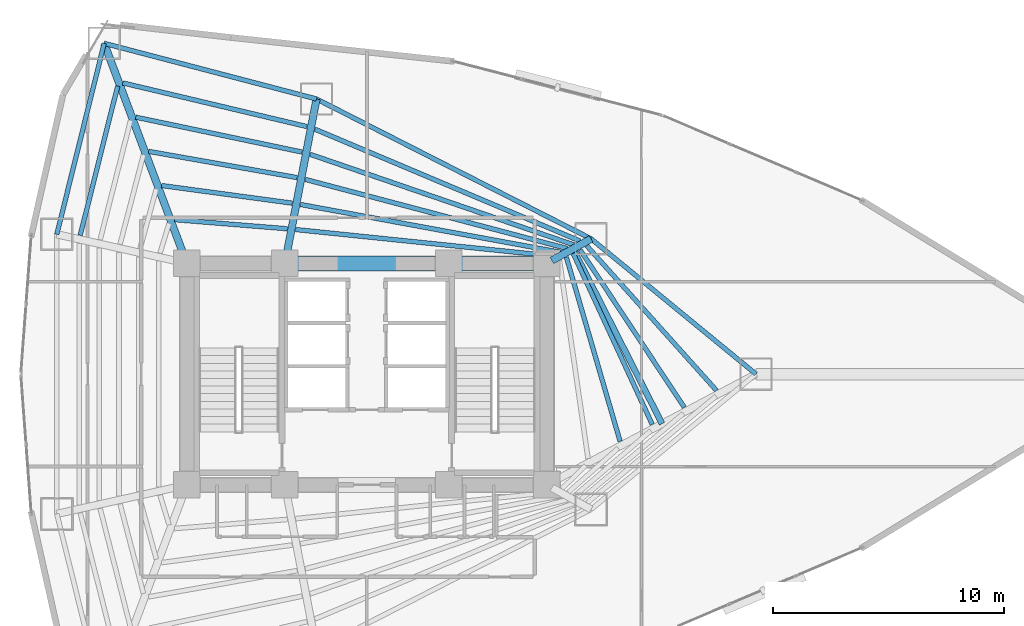
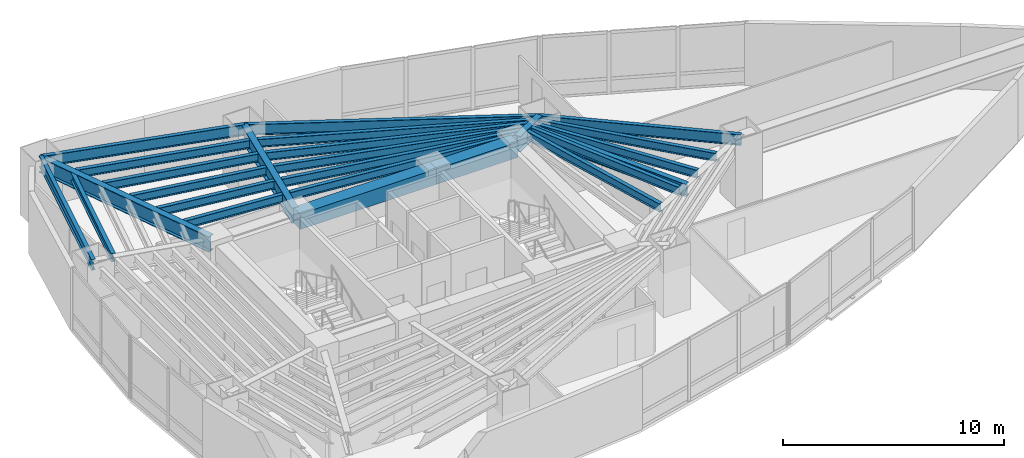
# One storey, part 9 of 20: 25 beams.
"""IFC4 building model written with IfcOpenShell, lengths in metres."""

from ifc_helpers import new_model, si_unit, direction, frame, origin, origin_2d, place, context, subcontext, project, spatial, rectangle, i_section, extrude, material, material_profile, profile_set, type_object, element, save


model = new_model("IFC4")

# Units and contexts
model_context = context("Model", 3, precision=1e-05, world=origin(), true_north=direction((0.0, 1.0)))
body_context = subcontext(model_context, "Body", "Model", "MODEL_VIEW")
ifc_project = project(units=[si_unit("LENGTHUNIT", "METRE"), si_unit("AREAUNIT", "SQUARE_METRE"), si_unit("VOLUMEUNIT", "CUBIC_METRE"), si_unit("PLANEANGLEUNIT", "RADIAN"), si_unit("MASSUNIT", "GRAM", prefix="KILO")], contexts=[model_context])

# Site, building, storey
site_placement = place(None, origin())
site = spatial("IfcSite", under=ifc_project, at=site_placement, CompositionType="ELEMENT")
building_placement = place(site_placement, origin())
building = spatial("IfcBuilding", under=site, at=building_placement, Name="Menara Vayukalpa", CompositionType="ELEMENT")
storey_placement = place(building_placement, frame((0.0, 0.0, 64.800048828125)))
storey = spatial("IfcBuildingStorey", under=building, at=storey_placement, Name="L15", CompositionType="ELEMENT", Elevation=64.800048828125)

# Beams
ifc_material_1 = material(Name="Concrete C60/75", Category="concrete")
ifc_material_profile_1 = material_profile(ifc_material_1, rectangle(XDim=0.64990234375, YDim=0.85009765625, at=origin_2d()), Name="RC 650x850")
ifc_profile_set_1 = profile_set([ifc_material_profile_1], Name="Concrete C60/75")
beam_type_1 = type_object("IfcBeamType", Name="BM-CB1", PredefinedType="BEAM", material=ifc_profile_set_1)
beam_1_placement = place(storey_placement, frame((22.050048828125, 26.800048828125, 3.014892578125), z_axis=(1.0, 0.0, 0.0), x_axis=(0.0, 1.0, 0.0)))
element("IfcBeam", 1, at=beam_1_placement, inside=storey, type_object=beam_type_1, Name="L15 Core Tie Beam CBR5", PredefinedType="BEAM", context=body_context, shape_type="SweptSolid", body=[
    extrude(rectangle(XDim=0.64990234375, YDim=0.85009765625, at=origin_2d()), origin(), (0.0, 0.0, 1.0), 7.099853515625),
])
beam_2_placement = place(storey_placement, frame((29.14990234375, 26.800048828125, 3.014892578125), z_axis=(1.0, 0.0, 0.0), x_axis=(0.0, 1.0, 0.0)))
element("IfcBeam", 2, at=beam_2_placement, inside=storey, type_object=beam_type_1, Name="L15 Core Tie Beam CBR6", PredefinedType="BEAM", context=body_context, shape_type="SweptSolid", body=[
    extrude(rectangle(XDim=0.64990234375, YDim=0.85009765625, at=origin_2d()), origin(), (0.0, 0.0, 1.0), 4.25),
])
ifc_material_2 = material(Name="Steel S355", Category="steel")
ifc_material_profile_2 = material_profile(ifc_material_2, i_section(OverallWidth=0.320068359375, OverallDepth=0.85009765625, WebThickness=0.01611328125, FlangeThickness=0.030029296875, at=origin_2d()), Name="WF 850x320x16x30")
ifc_profile_set_2 = profile_set([ifc_material_profile_2], Name="Steel S355")
beam_type_2 = type_object("IfcBeamType", Name="BM-PG2", PredefinedType="BEAM", material=ifc_profile_set_2)
beam_3_placement = place(storey_placement, frame((33.61865234375, 26.921142578125, 3.014892578125), z_axis=(0.87459548214, 0.484853320727, 0.0), x_axis=(-0.484853320727, 0.87459548214, 0.0)))
element("IfcBeam", 3, at=beam_3_placement, inside=storey, type_object=beam_type_2, Name="L15 Primary Radial Girder RG02", PredefinedType="BEAM", context=body_context, shape_type="SweptSolid", body=[
    extrude(i_section(OverallWidth=0.320068359375, OverallDepth=0.85009765625, WebThickness=0.01611328125, FlangeThickness=0.030029296875, at=origin_2d()), origin(), (0.0, 0.0, 1.0), 1.943115234375),
])
beam_4_placement = place(storey_placement, frame((22.09716796875, 27.04541015625, 3.014892578125), z_axis=(0.188803432672, 0.982014899995, 0.0), x_axis=(-0.982014899995, 0.188803432672, 0.0)))
element("IfcBeam", 4, at=beam_4_placement, inside=storey, type_object=beam_type_2, Name="L15 Primary Radial Girder RG03", PredefinedType="BEAM", context=body_context, shape_type="SweptSolid", body=[
    extrude(i_section(OverallWidth=0.320068359375, OverallDepth=0.85009765625, WebThickness=0.01611328125, FlangeThickness=0.030029296875, at=origin_2d()), origin(), (0.0, 0.0, 1.0), 7.00341796875),
])
beam_5_placement = place(storey_placement, frame((17.712158203125, 27.033935546875, 3.014892578125), z_axis=(-0.351734656537, 0.93609974436, 0.0), x_axis=(-0.93609974436, -0.351734656537, 0.0)))
element("IfcBeam", 5, at=beam_5_placement, inside=storey, type_object=beam_type_2, Name="L15 Primary Radial Girder RG04", PredefinedType="BEAM", context=body_context, shape_type="SweptSolid", body=[
    extrude(i_section(OverallWidth=0.320068359375, OverallDepth=0.85009765625, WebThickness=0.01611328125, FlangeThickness=0.030029296875, at=origin_2d()), origin(), (0.0, 0.0, 1.0), 9.935302734375),
])
ifc_material_3 = material(Name="Steel S460", Category="steel")
ifc_material_profile_3 = material_profile(ifc_material_3, i_section(OverallWidth=0.260009765625, OverallDepth=0.679931640625, WebThickness=0.012939453125, FlangeThickness=0.02197265625, at=origin_2d()), Name="WF 680x260x13x22")
ifc_profile_set_3 = profile_set([ifc_material_profile_3], Name="Steel S460")
beam_type_3 = type_object("IfcBeamType", Name="BM-SBG1", PredefinedType="BEAM", material=ifc_profile_set_3)
beam_6_placement = place(storey_placement, frame((38.396484375, 19.845703125, 3.099853515625), z_axis=(-0.453593975241, 0.891208452398, 0.0), x_axis=(-0.891208452398, -0.453593975241, 0.0)))
element("IfcBeam", 6, at=beam_6_placement, inside=storey, type_object=beam_type_3, Name="L15 SB1 Sky Bar Interior Tie Beam", PredefinedType="BEAM", context=body_context, shape_type="SweptSolid", body=[
    extrude(i_section(OverallWidth=0.260009765625, OverallDepth=0.679931640625, WebThickness=0.012939453125, FlangeThickness=0.02197265625, at=origin_2d()), origin(), (0.0, 0.0, 1.0), 8.510009765625),
])
ifc_material_4 = material(Name="Steel S355", Category="steel")
ifc_material_profile_4 = material_profile(ifc_material_4, i_section(OverallWidth=0.199951171875, OverallDepth=0.449951171875, WebThickness=0.009033203125, FlangeThickness=0.013916015625, at=origin_2d()), Name="WF 450x200x9x14")
ifc_profile_set_4 = profile_set([ifc_material_profile_4], Name="Steel S355")
beam_type_4 = type_object("IfcBeamType", Name="BM-SJ1", PredefinedType="JOIST", material=ifc_profile_set_4)
beam_7_placement = place(storey_placement, frame((36.577392578125, 19.08203125, 3.21484375), z_axis=(-0.280127331343, 0.959962852528, 0.0), x_axis=(-0.959962852528, -0.280127331343, 0.0)))
element("IfcBeam", 7, at=beam_7_placement, inside=storey, type_object=beam_type_4, Name="L15 Secondary Floor Joist SJ01-2", PredefinedType="JOIST", context=body_context, shape_type="SweptSolid", body=[
    extrude(i_section(OverallWidth=0.199951171875, OverallDepth=0.449951171875, WebThickness=0.009033203125, FlangeThickness=0.013916015625, at=origin_2d()), origin(), (0.0, 0.0, 1.0), 8.319580078125),
])
beam_8_placement = place(storey_placement, frame((37.96728515625, 19.822021484375, 3.21484375), z_axis=(-0.419547647921, 0.907733314979, 0.0), x_axis=(-0.907733314979, -0.419547647921, 0.0)))
element("IfcBeam", 8, at=beam_8_placement, inside=storey, type_object=beam_type_4, Name="L15 Secondary Floor Joist SJ01-3", PredefinedType="JOIST", context=body_context, shape_type="SweptSolid", body=[
    extrude(i_section(OverallWidth=0.199951171875, OverallDepth=0.449951171875, WebThickness=0.009033203125, FlangeThickness=0.013916015625, at=origin_2d()), origin(), (0.0, 0.0, 1.0), 8.15966796875),
])
beam_9_placement = place(storey_placement, frame((39.358642578125, 20.557861328125, 3.21484375), z_axis=(-0.551519467329, 0.834162020927, 0.0), x_axis=(-0.834162020927, -0.551519467329, 0.0)))
element("IfcBeam", 9, at=beam_9_placement, inside=storey, type_object=beam_type_4, Name="L15 Secondary Floor Joist SJ01-4", PredefinedType="JOIST", context=body_context, shape_type="SweptSolid", body=[
    extrude(i_section(OverallWidth=0.199951171875, OverallDepth=0.449951171875, WebThickness=0.009033203125, FlangeThickness=0.013916015625, at=origin_2d()), origin(), (0.0, 0.0, 1.0), 8.19384765625),
])
beam_10_placement = place(storey_placement, frame((40.752685546875, 21.291015625, 3.21484375), z_axis=(-0.667563308959, 0.744553039435, 0.0), x_axis=(-0.744553039435, -0.667563308959, 0.0)))
element("IfcBeam", 10, at=beam_10_placement, inside=storey, type_object=beam_type_4, Name="L15 Secondary Floor Joist SJ01-5", PredefinedType="JOIST", context=body_context, shape_type="SweptSolid", body=[
    extrude(i_section(OverallWidth=0.199951171875, OverallDepth=0.449951171875, WebThickness=0.009033203125, FlangeThickness=0.013916015625, at=origin_2d()), origin(), (0.0, 0.0, 1.0), 8.419189453125),
])
beam_11_placement = place(storey_placement, frame((33.74560546875, 27.109130859375, 3.21484375), z_axis=(-0.994746828953, 0.102365747631, 0.0), x_axis=(-0.102365747631, -0.994746828953, 0.0)))
element("IfcBeam", 11, at=beam_11_placement, inside=storey, type_object=beam_type_4, Name="L15 Secondary Floor Joist SJ02-1", PredefinedType="JOIST", context=body_context, shape_type="SweptSolid", body=[
    extrude(i_section(OverallWidth=0.199951171875, OverallDepth=0.449951171875, WebThickness=0.009033203125, FlangeThickness=0.013916015625, at=origin_2d()), origin(), (0.0, 0.0, 1.0), 11.29052734375),
])
beam_12_placement = place(storey_placement, frame((34.019287109375, 27.27392578125, 3.21484375), z_axis=(-0.983504975359, 0.180881075419, 0.0), x_axis=(-0.180881075419, -0.983504975359, 0.0)))
element("IfcBeam", 12, at=beam_12_placement, inside=storey, type_object=beam_type_4, Name="L15 Secondary Floor Joist SJ02-2", PredefinedType="JOIST", context=body_context, shape_type="SweptSolid", body=[
    extrude(i_section(OverallWidth=0.199951171875, OverallDepth=0.449951171875, WebThickness=0.009033203125, FlangeThickness=0.013916015625, at=origin_2d()), origin(), (0.0, 0.0, 1.0), 11.48486328125),
])
beam_13_placement = place(storey_placement, frame((34.294189453125, 27.438232421875, 3.21484375), z_axis=(-0.966863757537, 0.255292918746, 0.0), x_axis=(-0.255292918746, -0.966863757537, 0.0)))
element("IfcBeam", 13, at=beam_13_placement, inside=storey, type_object=beam_type_4, Name="L15 Secondary Floor Joist SJ02-3", PredefinedType="JOIST", context=body_context, shape_type="SweptSolid", body=[
    extrude(i_section(OverallWidth=0.199951171875, OverallDepth=0.449951171875, WebThickness=0.009033203125, FlangeThickness=0.013916015625, at=origin_2d()), origin(), (0.0, 0.0, 1.0), 11.751220703125),
])
beam_14_placement = place(storey_placement, frame((34.570068359375, 27.601318359375, 3.21484375), z_axis=(-0.945794261669, 0.324766400038, 0.0), x_axis=(-0.324766400038, -0.945794261669, 0.0)))
element("IfcBeam", 14, at=beam_14_placement, inside=storey, type_object=beam_type_4, Name="L15 Secondary Floor Joist SJ02-4", PredefinedType="JOIST", context=body_context, shape_type="SweptSolid", body=[
    extrude(i_section(OverallWidth=0.199951171875, OverallDepth=0.449951171875, WebThickness=0.009033203125, FlangeThickness=0.013916015625, at=origin_2d()), origin(), (0.0, 0.0, 1.0), 12.0849609375),
])
beam_15_placement = place(storey_placement, frame((34.84619140625, 27.763671875, 3.21484375), z_axis=(-0.921359344435, 0.38871192215, 0.0), x_axis=(-0.38871192215, -0.921359344435, 0.0)))
element("IfcBeam", 15, at=beam_15_placement, inside=storey, type_object=beam_type_4, Name="L15 Secondary Floor Joist SJ02-5", PredefinedType="JOIST", context=body_context, shape_type="SweptSolid", body=[
    extrude(i_section(OverallWidth=0.199951171875, OverallDepth=0.449951171875, WebThickness=0.009033203125, FlangeThickness=0.013916015625, at=origin_2d()), origin(), (0.0, 0.0, 1.0), 12.48046875),
])
beam_16_placement = place(storey_placement, frame((22.15576171875, 28.2978515625, 3.21484375), z_axis=(-0.996745483939, 0.08061290373, 0.0), x_axis=(-0.08061290373, -0.996745483939, 0.0)))
element("IfcBeam", 16, at=beam_16_placement, inside=storey, type_object=beam_type_4, Name="L15 Secondary Floor Joist SJ03-1", PredefinedType="JOIST", context=body_context, shape_type="SweptSolid", body=[
    extrude(i_section(OverallWidth=0.199951171875, OverallDepth=0.449951171875, WebThickness=0.009033203125, FlangeThickness=0.013916015625, at=origin_2d()), origin(), (0.0, 0.0, 1.0), 4.9091796875),
])
beam_17_placement = place(storey_placement, frame((22.368408203125, 29.40771484375, 3.21484375), z_axis=(-0.991021966654, 0.13369914588, 0.0), x_axis=(-0.13369914588, -0.991021966654, 0.0)))
element("IfcBeam", 17, at=beam_17_placement, inside=storey, type_object=beam_type_4, Name="L15 Secondary Floor Joist SJ03-2", PredefinedType="JOIST", context=body_context, shape_type="SweptSolid", body=[
    extrude(i_section(OverallWidth=0.199951171875, OverallDepth=0.449951171875, WebThickness=0.009033203125, FlangeThickness=0.013916015625, at=origin_2d()), origin(), (0.0, 0.0, 1.0), 5.71728515625),
])
beam_18_placement = place(storey_placement, frame((22.5810546875, 30.515380859375, 3.21484375), z_axis=(-0.984753096925, 0.173957862993, 0.0), x_axis=(-0.173957862993, -0.984753096925, 0.0)))
element("IfcBeam", 18, at=beam_18_placement, inside=storey, type_object=beam_type_4, Name="L15 Secondary Floor Joist SJ03-3", PredefinedType="JOIST", context=body_context, shape_type="SweptSolid", body=[
    extrude(i_section(OverallWidth=0.199951171875, OverallDepth=0.449951171875, WebThickness=0.009033203125, FlangeThickness=0.013916015625, at=origin_2d()), origin(), (0.0, 0.0, 1.0), 6.53857421875),
])
beam_19_placement = place(storey_placement, frame((22.793701171875, 31.62158203125, 3.21484375), z_axis=(-0.978676146728, 0.205409346977, 0.0), x_axis=(-0.205409346977, -0.978676146728, 0.0)))
element("IfcBeam", 19, at=beam_19_placement, inside=storey, type_object=beam_type_4, Name="L15 Secondary Floor Joist SJ03-4", PredefinedType="JOIST", context=body_context, shape_type="SweptSolid", body=[
    extrude(i_section(OverallWidth=0.199951171875, OverallDepth=0.449951171875, WebThickness=0.009033203125, FlangeThickness=0.013916015625, at=origin_2d()), origin(), (0.0, 0.0, 1.0), 7.369140625),
])
beam_20_placement = place(storey_placement, frame((23.00634765625, 32.726318359375, 3.21484375), z_axis=(-0.97303971213, 0.23063763487, 0.0), x_axis=(-0.23063763487, -0.97303971213, 0.0)))
element("IfcBeam", 20, at=beam_20_placement, inside=storey, type_object=beam_type_4, Name="L15 Secondary Floor Joist SJ03-5", PredefinedType="JOIST", context=body_context, shape_type="SweptSolid", body=[
    extrude(i_section(OverallWidth=0.199951171875, OverallDepth=0.449951171875, WebThickness=0.009033203125, FlangeThickness=0.013916015625, at=origin_2d()), origin(), (0.0, 0.0, 1.0), 8.205810546875),
])
beam_21_placement = place(storey_placement, frame((14.802734375, 34.485595703125, 3.21484375), z_axis=(-0.243517460774, -0.96989651319, 0.0), x_axis=(0.96989651319, -0.243517460774, 0.0)))
element("IfcBeam", 21, at=beam_21_placement, inside=storey, type_object=beam_type_4, Name="L15 Secondary Floor Joist SJ04-5", PredefinedType="JOIST", context=body_context, shape_type="SweptSolid", body=[
    extrude(i_section(OverallWidth=0.199951171875, OverallDepth=0.449951171875, WebThickness=0.009033203125, FlangeThickness=0.013916015625, at=origin_2d()), origin(), (0.0, 0.0, 1.0), 6.6689453125),
])
ifc_material_5 = material(Name="Steel S355", Category="steel")
ifc_material_profile_5 = material_profile(ifc_material_5, i_section(OverallWidth=0.199951171875, OverallDepth=0.60009765625, WebThickness=0.010986328125, FlangeThickness=0.01708984375, at=origin_2d()), Name="WF 600x200x11x17")
ifc_profile_set_5 = profile_set([ifc_material_profile_5], Name="Steel S355")
beam_type_5 = type_object("IfcBeamType", Name="BM-SP1", PredefinedType="SPANDREL", material=ifc_profile_set_5)
beam_22_placement = place(storey_placement, frame((42.46484375, 22.0, 3.139892578125), z_axis=(-0.773110561587, 0.63427128231, 0.0), x_axis=(-0.63427128231, -0.773110561587, 0.0)))
element("IfcBeam", 22, at=beam_22_placement, inside=storey, type_object=beam_type_5, Name="L15 Perimeter Spandrel Beam SP01", PredefinedType="SPANDREL", context=body_context, shape_type="SweptSolid", body=[
    extrude(i_section(OverallWidth=0.199951171875, OverallDepth=0.60009765625, WebThickness=0.010986328125, FlangeThickness=0.01708984375, at=origin_2d()), origin(), (0.0, 0.0, 1.0), 9.244140625),
])
beam_23_placement = place(storey_placement, frame((35.318115234375, 27.86328125, 3.139892578125), z_axis=(-0.891100743313, 0.453805536841, 0.0), x_axis=(-0.453805536841, -0.891100743313, 0.0)))
element("IfcBeam", 23, at=beam_23_placement, inside=storey, type_object=beam_type_5, Name="L15 Perimeter Spandrel Beam SP02", PredefinedType="SPANDREL", context=body_context, shape_type="SweptSolid", body=[
    extrude(i_section(OverallWidth=0.199951171875, OverallDepth=0.60009765625, WebThickness=0.010986328125, FlangeThickness=0.01708984375, at=origin_2d()), origin(), (0.0, 0.0, 1.0), 13.352783203125),
])
beam_24_placement = place(storey_placement, frame((23.41943359375, 33.9228515625, 3.139892578125), z_axis=(-0.967331024421, 0.253516644802, 0.0), x_axis=(-0.253516644802, -0.967331024421, 0.0)))
element("IfcBeam", 24, at=beam_24_placement, inside=storey, type_object=beam_type_5, Name="L15 Perimeter Spandrel Beam SP03", PredefinedType="SPANDREL", context=body_context, shape_type="SweptSolid", body=[
    extrude(i_section(OverallWidth=0.199951171875, OverallDepth=0.60009765625, WebThickness=0.010986328125, FlangeThickness=0.01708984375, at=origin_2d()), origin(), (0.0, 0.0, 1.0), 9.5126953125),
])
beam_25_placement = place(storey_placement, frame((14.217529296875, 36.33447265625, 3.139892578125), z_axis=(-0.240823860364, -0.970568837476, 0.0), x_axis=(0.970568837476, -0.240823860364, 0.0)))
element("IfcBeam", 25, at=beam_25_placement, inside=storey, type_object=beam_type_5, Name="L15 Perimeter Spandrel Beam SP04", PredefinedType="SPANDREL", context=body_context, shape_type="SweptSolid", body=[
    extrude(i_section(OverallWidth=0.199951171875, OverallDepth=0.60009765625, WebThickness=0.010986328125, FlangeThickness=0.01708984375, at=origin_2d()), origin(), (0.0, 0.0, 1.0), 8.52587890625),
])

save(model, "model.ifc")
